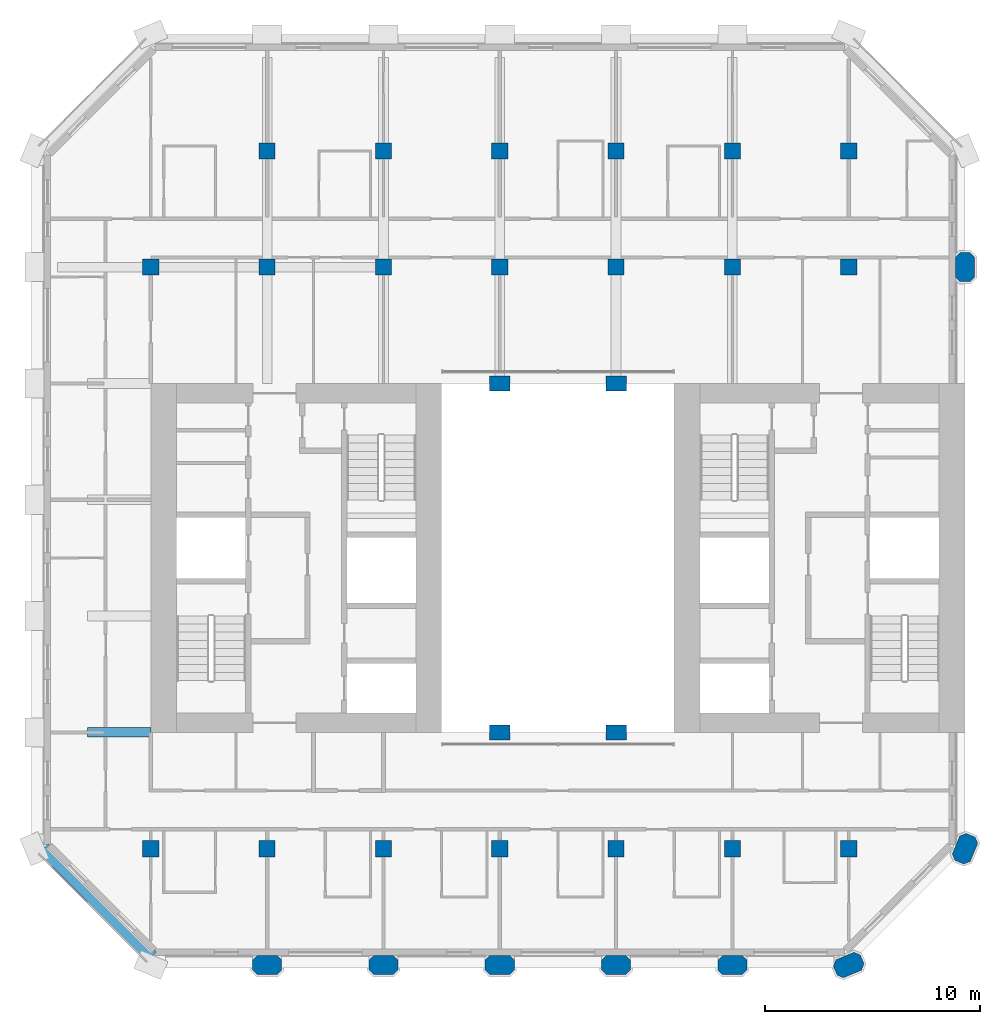
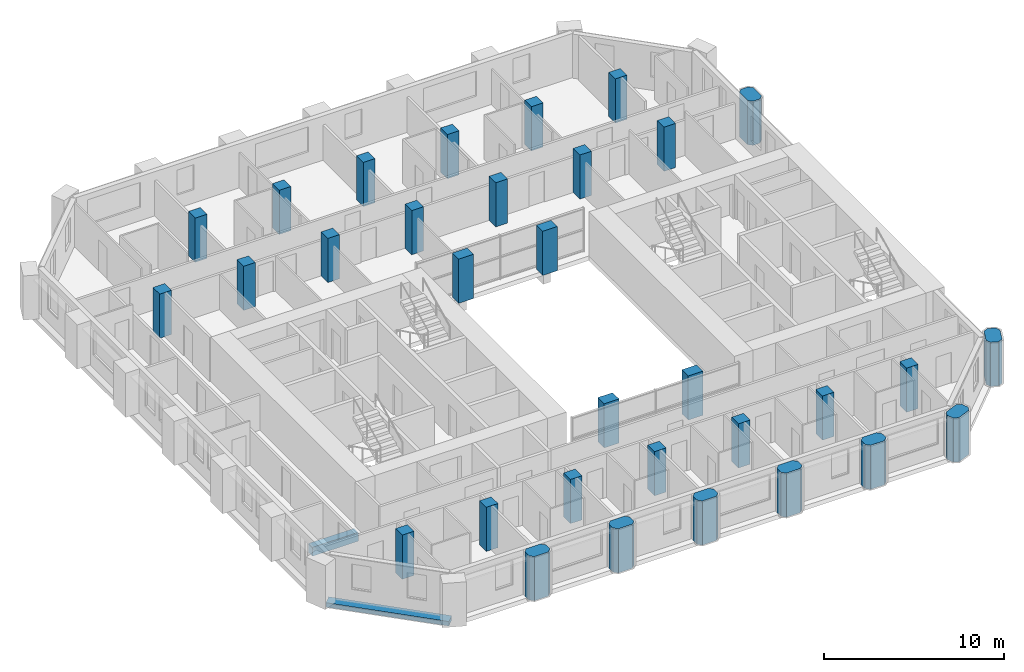
# One storey, part 1 of 13: 32 columns, 2 beams.
"""IFC4 building model written with IfcOpenShell, lengths in metres."""

from ifc_helpers import new_model, si_unit, direction, frame, origin, origin_2d, place, context, subcontext, project, spatial, polyline, rectangle, outline, extrude, material, material_profile, profile_set, type_object, element, save


model = new_model("IFC4")

# Units and contexts
model_context = context("Model", 3, precision=1e-05, world=origin(), true_north=direction((0.0, 1.0)))
body_context = subcontext(model_context, "Body", "Model", "MODEL_VIEW")
ifc_project = project(units=[si_unit("LENGTHUNIT", "METRE"), si_unit("AREAUNIT", "SQUARE_METRE"), si_unit("VOLUMEUNIT", "CUBIC_METRE"), si_unit("PLANEANGLEUNIT", "RADIAN"), si_unit("MASSUNIT", "GRAM", prefix="KILO")], contexts=[model_context])

# Site, building, storey
site_placement = place(None, origin())
site = spatial("IfcSite", under=ifc_project, at=site_placement, CompositionType="ELEMENT")
building_placement = place(site_placement, origin())
building = spatial("IfcBuilding", under=site, at=building_placement, Name="Tabaq Tower and Sports Hall", CompositionType="ELEMENT")
storey_placement = place(building_placement, frame((0.0, 0.0, 210.39990234375)))
storey = spatial("IfcBuildingStorey", under=building, at=storey_placement, Name="L52", CompositionType="ELEMENT", Elevation=210.39990234375)

# Columns
ifc_material_1 = material(Name="Concrete C50/60", Category="concrete")
ifc_material_profile_1 = material_profile(ifc_material_1, rectangle(XDim=0.949951171875, YDim=0.699951171875, at=origin_2d()), Name="ATRIUM COLUMN 950x700")
ifc_profile_set_1 = profile_set([ifc_material_profile_1], Name="Concrete C50/60")
column_type_1 = type_object("IfcColumnType", Name="RC COLUMN ATRIUM COLUMN 950x700 C50/60", PredefinedType="COLUMN", material=ifc_profile_set_1)
for number, where, z_axis, x_axis, name in (
    (1, (21.60009765625, 16.199951171875, 0.0), (0.0, 0.0, 1.0), (1.0, 0.0, 0.0), "Atrium Column 5/D L52"),
    (2, (27.0, 16.199951171875, 0.0), (0.0, 0.0, 1.0), (1.0, 0.0, 0.0), "Atrium Column 6/D L52"),
    (3, (21.60009765625, 32.39990234375, 0.0), (0.0, 0.0, 1.0), (1.0, 0.0, 0.0), "Atrium Column 5/G L52"),
    (4, (27.0, 32.39990234375, 0.0), (0.0, 0.0, 1.0), (1.0, 0.0, 0.0), "Atrium Column 6/G L52"),
):
    element("IfcColumn", number, at=place(storey_placement, frame(where, z_axis=z_axis, x_axis=x_axis)), inside=storey, type_object=column_type_1, Name=name, PredefinedType="COLUMN", context=body_context, shape_type="SweptSolid", body=[
        extrude(rectangle(XDim=0.949951171875, YDim=0.699951171875, at=origin_2d()), origin(), (0.0, 0.0, 1.0), 3.0),
    ])
ifc_material_2 = material(Name="Concrete C50/60", Category="concrete")
ifc_material_profile_2 = material_profile(ifc_material_2, rectangle(XDim=0.75, YDim=0.75, at=origin_2d()), Name="COLUMN 750x750")
ifc_profile_set_2 = profile_set([ifc_material_profile_2], Name="Concrete C50/60")
column_type_2 = type_object("IfcColumnType", Name="RC COLUMN COLUMN 750x750 C50/60", PredefinedType="COLUMN", material=ifc_profile_set_2)
for number, where, z_axis, x_axis, name in (
    (5, (5.39990234375, 10.800048828125, 0.0), (0.0, 0.0, 1.0), (1.0, 0.0, 0.0), "Column 2/C L52"),
    (6, (10.800048828125, 10.800048828125, 0.0), (0.0, 0.0, 1.0), (1.0, 0.0, 0.0), "Column 3/C L52"),
    (7, (16.199951171875, 10.800048828125, 0.0), (0.0, 0.0, 1.0), (1.0, 0.0, 0.0), "Column 4/C L52"),
    (8, (21.60009765625, 10.800048828125, 0.0), (0.0, 0.0, 1.0), (1.0, 0.0, 0.0), "Column 5/C L52"),
    (9, (27.0, 10.800048828125, 0.0), (0.0, 0.0, 1.0), (1.0, 0.0, 0.0), "Column 6/C L52"),
    (10, (32.39990234375, 10.800048828125, 0.0), (0.0, 0.0, 1.0), (1.0, 0.0, 0.0), "Column 7/C L52"),
    (11, (37.800048828125, 10.800048828125, 0.0), (0.0, 0.0, 1.0), (1.0, 0.0, 0.0), "Column 8/C L52"),
    (12, (5.39990234375, 37.800048828125, 0.0), (0.0, 0.0, 1.0), (1.0, 0.0, 0.0), "Column 2/H L52"),
    (13, (10.800048828125, 37.800048828125, 0.0), (0.0, 0.0, 1.0), (1.0, 0.0, 0.0), "Column 3/H L52"),
    (14, (16.199951171875, 37.800048828125, 0.0), (0.0, 0.0, 1.0), (1.0, 0.0, 0.0), "Column 4/H L52"),
    (15, (21.60009765625, 37.800048828125, 0.0), (0.0, 0.0, 1.0), (1.0, 0.0, 0.0), "Column 5/H L52"),
    (16, (27.0, 37.800048828125, 0.0), (0.0, 0.0, 1.0), (1.0, 0.0, 0.0), "Column 6/H L52"),
    (17, (32.39990234375, 37.800048828125, 0.0), (0.0, 0.0, 1.0), (1.0, 0.0, 0.0), "Column 7/H L52"),
    (18, (37.800048828125, 37.800048828125, 0.0), (0.0, 0.0, 1.0), (1.0, 0.0, 0.0), "Column 8/H L52"),
    (19, (10.800048828125, 43.199951171875, 0.0), (0.0, 0.0, 1.0), (1.0, 0.0, 0.0), "Column 3/I L52"),
    (20, (16.199951171875, 43.199951171875, 0.0), (0.0, 0.0, 1.0), (1.0, 0.0, 0.0), "Column 4/I L52"),
    (21, (21.60009765625, 43.199951171875, 0.0), (0.0, 0.0, 1.0), (1.0, 0.0, 0.0), "Column 5/I L52"),
    (22, (27.0, 43.199951171875, 0.0), (0.0, 0.0, 1.0), (1.0, 0.0, 0.0), "Column 6/I L52"),
    (23, (32.39990234375, 43.199951171875, 0.0), (0.0, 0.0, 1.0), (1.0, 0.0, 0.0), "Column 7/I L52"),
    (24, (37.800048828125, 43.199951171875, 0.0), (0.0, 0.0, 1.0), (1.0, 0.0, 0.0), "Column 8/I L52"),
):
    element("IfcColumn", number, at=place(storey_placement, frame(where, z_axis=z_axis, x_axis=x_axis)), inside=storey, type_object=column_type_2, Name=name, PredefinedType="COLUMN", context=body_context, shape_type="SweptSolid", body=[
        extrude(rectangle(XDim=0.75, YDim=0.75, at=origin_2d()), origin(), (0.0, 0.0, 1.0), 3.0),
    ])
ifc_material_3 = material(Name="Concrete C50/60", Category="concrete")
ifc_material_profile_3 = material_profile(ifc_material_3, outline(polyline([(-0.449951171875, -0.449951171875), (0.449951171875, -0.449951171875), (0.675048828125, -0.22509765625), (0.675048828125, 0.22509765625), (0.449951171875, 0.449951171875), (-0.449951171875, 0.449951171875), (-0.675048828125, 0.22509765625), (-0.675048828125, -0.22509765625), (-0.449951171875, -0.449951171875)])), Name="PIER 1350x900")
ifc_profile_set_3 = profile_set([ifc_material_profile_3], Name="Concrete C50/60")
column_type_3 = type_object("IfcColumnType", Name="RC COLUMN PIER 1350x900 C50/60", PredefinedType="COLUMN", material=ifc_profile_set_3)
for number, where, z_axis, x_axis, name in (
    (25, (10.800048828125, 5.39990234375, 0.0), (0.0, 0.0, 1.0), (1.0, 0.0, 0.0), "Pier 3/B L52"),
    (26, (16.199951171875, 5.39990234375, 0.0), (0.0, 0.0, 1.0), (1.0, 0.0, 0.0), "Pier 4/B L52"),
    (27, (21.60009765625, 5.39990234375, 0.0), (0.0, 0.0, 1.0), (1.0, 0.0, 0.0), "Pier 5/B L52"),
    (28, (27.0, 5.39990234375, 0.0), (0.0, 0.0, 1.0), (1.0, 0.0, 0.0), "Pier 6/B L52"),
    (29, (32.39990234375, 5.39990234375, 0.0), (0.0, 0.0, 1.0), (1.0, 0.0, 0.0), "Pier 7/B L52"),
    (30, (37.800048828125, 5.39990234375, 0.0), (0.0, 0.0, 1.0), (0.923879532511, 0.382683432365, 0.0), "Pier 8/B L52"),
    (31, (43.199951171875, 10.800048828125, 0.0), (0.0, 0.0, 1.0), (0.382683432365, 0.923879532511, 0.0), "Pier 9/C L52"),
    (32, (43.199951171875, 37.800048828125, 0.0), (0.0, 0.0, 1.0), (0.0, 1.0, 0.0), "Pier 9/H L52"),
):
    element("IfcColumn", number, at=place(storey_placement, frame(where, z_axis=z_axis, x_axis=x_axis)), inside=storey, type_object=column_type_3, Name=name, PredefinedType="COLUMN", context=body_context, shape_type="SweptSolid", body=[
        extrude(outline(polyline([(-0.449951171875, -0.449951171875), (0.449951171875, -0.449951171875), (0.675048828125, -0.22509765625), (0.675048828125, 0.22509765625), (0.449951171875, 0.449951171875), (-0.449951171875, 0.449951171875), (-0.675048828125, 0.22509765625), (-0.675048828125, -0.22509765625), (-0.449951171875, -0.449951171875)])), origin(), (0.0, 0.0, 1.0), 3.0),
    ])

# Beams
ifc_material_4 = material(Name="Concrete C40/50", Category="concrete")
ifc_material_profile_4 = material_profile(ifc_material_4, rectangle(XDim=0.449951171875, YDim=0.60009765625, at=origin_2d()), Name="CB 450x600")
ifc_profile_set_4 = profile_set([ifc_material_profile_4], Name="Concrete C40/50")
beam_type_1 = type_object("IfcBeamType", Name="PT CANTILEVER BEAM CB 450x600 C40/50", PredefinedType="BEAM", material=ifc_profile_set_4)
beam_1_placement = place(storey_placement, frame((2.449951171875, 16.199951171875, -0.599853515625), z_axis=(1.0, 0.0, 0.0), x_axis=(0.0, 1.0, 0.0)))
element("IfcBeam", 33, at=beam_1_placement, inside=storey, type_object=beam_type_1, Name="Cantilever Beam L52 W3 span 1", PredefinedType="BEAM", context=body_context, shape_type="SweptSolid", body=[
    extrude(rectangle(XDim=0.449951171875, YDim=0.60009765625, at=origin_2d()), origin(), (0.0, 0.0, 1.0), 2.949951171875),
])
ifc_material_5 = material(Name="Concrete C40/50", Category="concrete")
ifc_material_profile_5 = material_profile(ifc_material_5, rectangle(XDim=0.60009765625, YDim=0.300048828125, at=origin_2d()), Name="EB 600x300")
ifc_profile_set_5 = profile_set([ifc_material_profile_5], Name="Concrete C40/50")
beam_type_2 = type_object("IfcBeamType", Name="PT EDGE BEAM EB 600x300 C40/50", PredefinedType="SPANDREL", material=ifc_profile_set_5)
beam_2_placement = place(storey_placement, frame((0.42333984375, 10.801025390625, -0.14990234375), z_axis=(0.707089559252, -0.707124002701, 0.0), x_axis=(0.707124002701, 0.707089559252, 0.0)))
element("IfcBeam", 34, at=beam_2_placement, inside=storey, type_object=beam_type_2, Name="Edge Beam L52 5", PredefinedType="SPANDREL", context=body_context, shape_type="SweptSolid", body=[
    extrude(rectangle(XDim=0.60009765625, YDim=0.300048828125, at=origin_2d()), origin(), (0.0, 0.0, 1.0), 7.088134765625),
])

save(model, "model.ifc")
